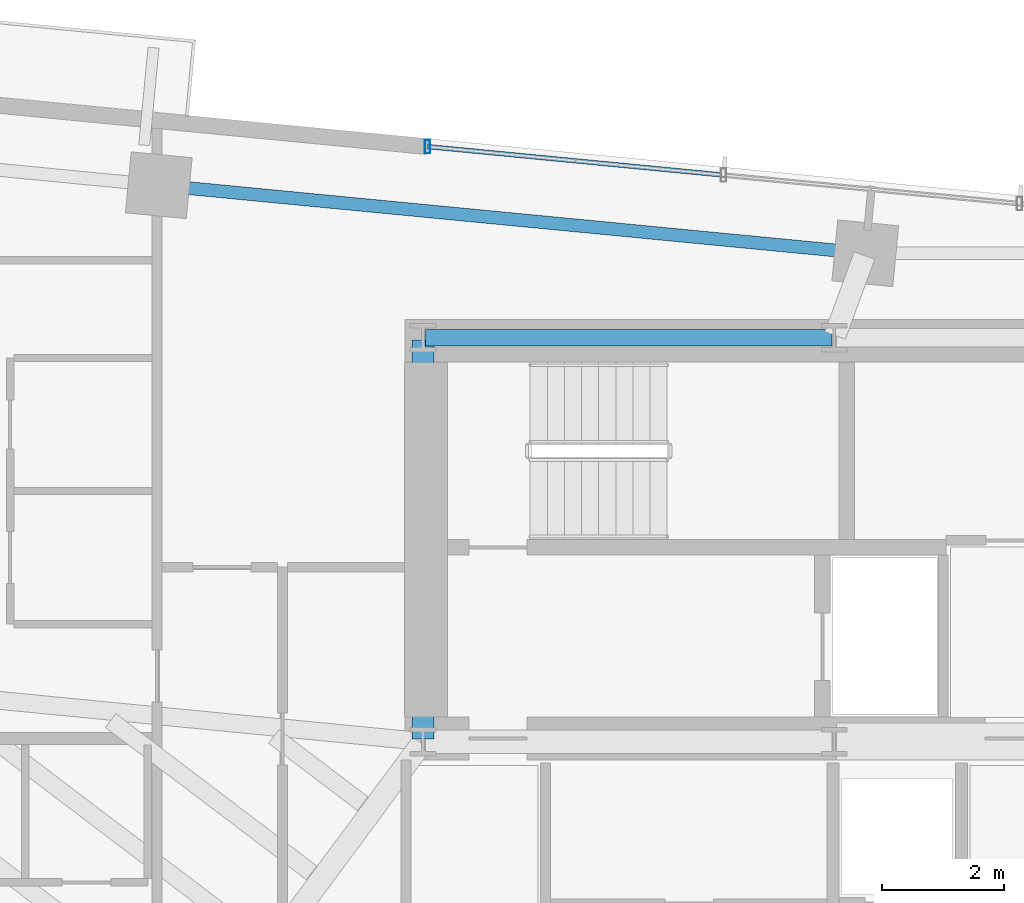
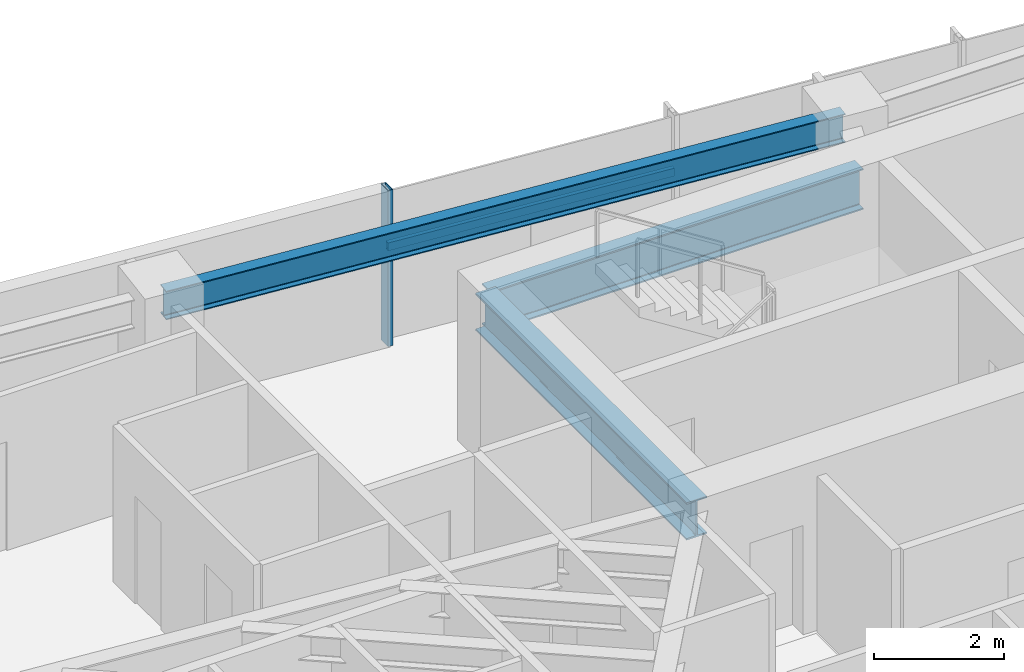
# One storey, part 7 of 20: 3 beams, 2 members, 1 element without a shape of its own.
"""IFC4 building model written with IfcOpenShell, lengths in metres."""

from ifc_helpers import new_model, si_unit, direction, frame, origin, origin_2d, place, context, subcontext, project, spatial, hollow_rectangle, i_section, extrude, source, transform, mapped, material, material_profile, profile_set, type_object, type_shapes, element, aggregate, save


model = new_model("IFC4")

# Units and contexts
model_context = context("Model", 3, precision=1e-05, world=origin(), true_north=direction((0.0, 1.0)))
body_context = subcontext(model_context, "Body", "Model", "MODEL_VIEW")
ifc_project = project(units=[si_unit("LENGTHUNIT", "METRE"), si_unit("AREAUNIT", "SQUARE_METRE"), si_unit("VOLUMEUNIT", "CUBIC_METRE"), si_unit("PLANEANGLEUNIT", "RADIAN"), si_unit("MASSUNIT", "GRAM", prefix="KILO")], contexts=[model_context])

# Site, building, storey
site_placement = place(None, origin())
site = spatial("IfcSite", under=ifc_project, at=site_placement, CompositionType="ELEMENT")
building_placement = place(site_placement, origin())
building = spatial("IfcBuilding", under=site, at=building_placement, Name="Astriad Promenade Condominiums", CompositionType="ELEMENT")
storey_placement = place(building_placement, frame((0.0, 0.0, 134.199951171875)))
storey = spatial("IfcBuildingStorey", under=building, at=storey_placement, Name="L38", CompositionType="ELEMENT", Elevation=134.199951171875)

# Beams
ifc_material_1 = material(Name="Steel ASTM A992 Grade 50", Category="steel")
ifc_material_profile_1 = material_profile(ifc_material_1, i_section(OverallWidth=0.267822265625, OverallDepth=0.76953125, WebThickness=0.015625, FlangeThickness=0.025390625, FilletRadius=0.021484375, at=origin_2d()), Name="W30X132")
ifc_profile_set_1 = profile_set([ifc_material_profile_1], Name="Steel ASTM A992 Grade 50")
beam_type_1 = type_object("IfcBeamType", Name="STEEL FLOOR GIRDER W30X132", PredefinedType="BEAM", material=ifc_profile_set_1)
shared_shape_1 = source(origin(), body_context, "Body", "SweptSolid", [
    extrude(i_section(OverallWidth=0.267822265625, OverallDepth=0.76953125, WebThickness=0.015625, FlangeThickness=0.025390625, FilletRadius=0.021484375, at=origin_2d()), origin(), (0.0, 0.0, 1.0), 6.64013671875),
])
type_shapes(beam_type_1, [shared_shape_1])
beam_1_placement = place(storey_placement, frame((26.43994140625, 24.0, 2.55517578125), z_axis=(1.0, 0.0, 0.0), x_axis=(0.0, 1.0, 0.0)))
element("IfcBeam", 1, at=beam_1_placement, inside=storey, type_object=beam_type_1, Name="Core Ring Beam CG-N1-L38", PredefinedType="BEAM", context=body_context, shape_type="MappedRepresentation", body=[
    mapped(shared_shape_1, transform((0.0, 0.0, 0.0), scale=1.0)),
])
ifc_material_profile_2 = material_profile(ifc_material_1, i_section(OverallWidth=0.35791015625, OverallDepth=0.706298828125, WebThickness=0.018310546875, FlangeThickness=0.0302734375, FilletRadius=0.020263671875, at=origin_2d()), Name="W27X178")
ifc_profile_set_2 = profile_set([ifc_material_profile_2], Name="Steel ASTM A992 Grade 50")
beam_type_2 = type_object("IfcBeamType", Name="STEEL FLOOR GIRDER W27X178", PredefinedType="BEAM", material=ifc_profile_set_2)
shared_shape_2 = source(origin(), body_context, "Body", "SweptSolid", [
    extrude(i_section(OverallWidth=0.35791015625, OverallDepth=0.706298828125, WebThickness=0.018310546875, FlangeThickness=0.0302734375, FilletRadius=0.020263671875, at=origin_2d()), origin(), (0.0, 0.0, 1.0), 6.52001953125),
])
type_shapes(beam_type_2, [shared_shape_2])
beam_2_placement = place(storey_placement, frame((26.39990234375, 17.43994140625, 2.5869140625), z_axis=(0.0, 1.0, 0.0), x_axis=(-1.0, 0.0, 0.0)))
element("IfcBeam", 2, at=beam_2_placement, inside=storey, type_object=beam_type_2, Name="Core Ring Beam CG-W1-L38", PredefinedType="BEAM", context=body_context, shape_type="MappedRepresentation", body=[
    mapped(shared_shape_2, transform((0.0, 0.0, 0.0), scale=1.0)),
])
ifc_material_profile_3 = material_profile(ifc_material_1, i_section(OverallWidth=0.210693359375, OverallDepth=0.53955078125, WebThickness=0.01171875, FlangeThickness=0.018798828125, FilletRadius=0.0166015625, at=origin_2d()), Name="W21X73")
ifc_profile_set_3 = profile_set([ifc_material_profile_3], Name="Steel ASTM A992 Grade 50")
beam_type_3 = type_object("IfcBeamType", Name="STEEL SPANDREL BEAM W21X73", PredefinedType="SPANDREL", material=ifc_profile_set_3)
shared_shape_3 = source(origin(), body_context, "Body", "SweptSolid", [
    extrude(i_section(OverallWidth=0.210693359375, OverallDepth=0.53955078125, WebThickness=0.01171875, FlangeThickness=0.018798828125, FilletRadius=0.0166015625, at=origin_2d()), origin(), (0.0, 0.0, 1.0), 11.52001953125),
])
type_shapes(beam_type_3, [shared_shape_3])
beam_3_placement = place(storey_placement, frame((33.58642578125, 25.384033203125, 2.670166015625), z_axis=(-0.9953953902, 0.095854145285, 0.0), x_axis=(-0.095854145285, -0.9953953902, 0.0)))
element("IfcBeam", 3, at=beam_3_placement, inside=storey, type_object=beam_type_3, Name="Perimeter Spandrel Beam SP-N2-L38", PredefinedType="SPANDREL", context=body_context, shape_type="MappedRepresentation", body=[
    mapped(shared_shape_3, transform((0.0, 0.0, 0.0), scale=1.0)),
])

# Curtain wall, members
ifc_material_2 = material(Name="Anodised aluminium Black Dark Glass Unitised", Category="aluminium")
curtain_wall_type = type_object("IfcCurtainWallType", Name="CW-B34-DARK", PredefinedType="USERDEFINED", material=ifc_material_2)
curtain_wall_placement = place(storey_placement, origin())
curtain_wall = element("IfcCurtainWall", 4, at=curtain_wall_placement, inside=storey, type_object=curtain_wall_type, Name="CW-L38-N", ObjectType="UNITISED_CURTAIN_WALL", PredefinedType="USERDEFINED")
ifc_material_3 = material(Name="Anodised aluminium 6063-T6 Black", Category="aluminium")
ifc_material_profile_4 = material_profile(ifc_material_3, hollow_rectangle(XDim=0.0849609375, YDim=0.219970703125, WallThickness=0.0048828125, at=origin_2d()), Name="ALU-MUL-85X220")
ifc_profile_set_4 = profile_set([ifc_material_profile_4], Name="Anodised aluminium 6063-T6 Black")
member_type_1 = type_object("IfcMemberType", Name="MUL-ALU-MUL-85X220", PredefinedType="MULLION", material=ifc_profile_set_4)
shared_shape_4 = source(origin(), body_context, "Body", "SweptSolid", [
    extrude(hollow_rectangle(XDim=0.0849609375, YDim=0.219970703125, WallThickness=0.0048828125, at=origin_2d()), origin(), (0.0, 0.0, 1.0), 2.93994140625),
])
type_shapes(member_type_1, [shared_shape_4])
member_1_placement = place(storey_placement, frame((26.470458984375, 27.124267578125, 0.0), z_axis=(0.0, 0.0, 1.0), x_axis=(1.0, 0.0, 0.0)))
member_1 = element("IfcMember", 5, at=member_1_placement, type_object=member_type_1, Name="CW-L38-N-MUL-00", PredefinedType="MULLION", context=body_context, shape_type="MappedRepresentation", body=[
    mapped(shared_shape_4, transform((0.0, 0.0, 0.0), scale=1.0)),
])
ifc_material_profile_5 = material_profile(ifc_material_3, hollow_rectangle(XDim=0.074951171875, YDim=0.14990234375, WallThickness=0.004150390625, at=origin_2d()), Name="ALU-TRN-75X150")
ifc_profile_set_5 = profile_set([ifc_material_profile_5], Name="Anodised aluminium 6063-T6 Black")
member_type_2 = type_object("IfcMemberType", Name="TRN-ALU-TRN-75X150", PredefinedType="USERDEFINED", material=ifc_profile_set_5)
shared_shape_5 = source(origin(), body_context, "Body", "SweptSolid", [
    extrude(hollow_rectangle(XDim=0.074951171875, YDim=0.14990234375, WallThickness=0.004150390625, at=origin_2d()), origin(), (0.0, 0.0, 1.0), 4.860107421875),
])
type_shapes(member_type_2, [shared_shape_5])
member_2_placement = place(storey_placement, frame((26.470458984375, 27.124267578125, 1.82275390625), z_axis=(0.995396042559, -0.095847370639, 0.0), x_axis=(0.095847370639, 0.995396042559, 0.0)))
member_2 = element("IfcMember", 6, at=member_2_placement, type_object=member_type_2, Name="CW-L38-N-TRN-00-0", ObjectType="TRANSOM", PredefinedType="USERDEFINED", context=body_context, shape_type="MappedRepresentation", body=[
    mapped(shared_shape_5, transform((0.0, 0.0, 0.0), scale=1.0)),
])
aggregate(curtain_wall, [member_1, member_2])

save(model, "model.ifc")
